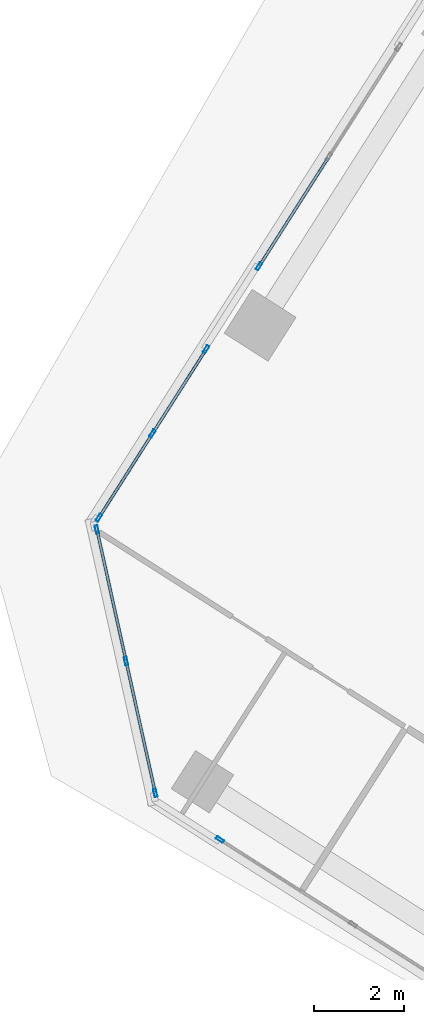
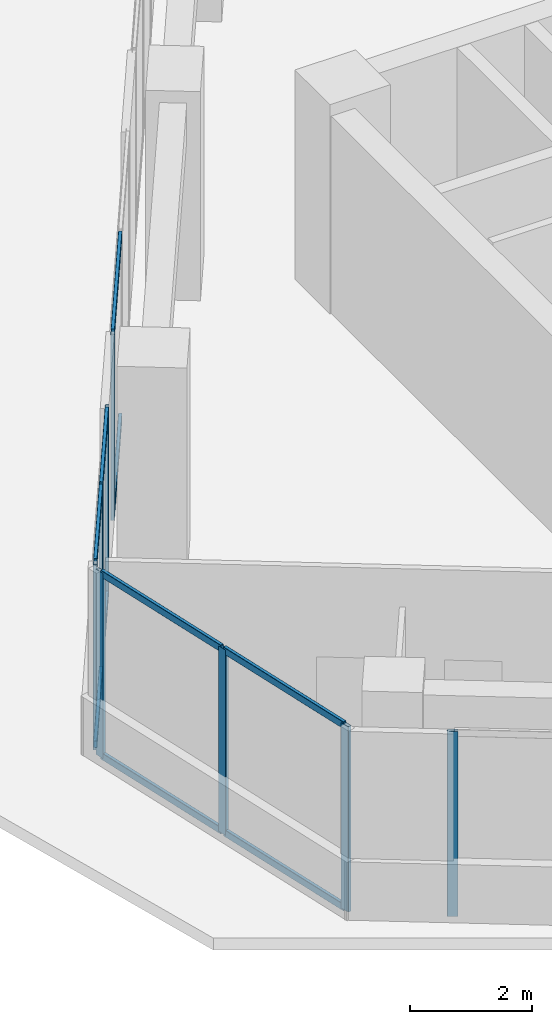
# One storey, part 5 of 23: 18 members, 4 elements without a shape of their own.
"""IFC4 building model written with IfcOpenShell, lengths in metres."""

from ifc_helpers import new_model, si_unit, direction, frame, origin, origin_2d, place, context, subcontext, project, spatial, hollow_rectangle, extrude, source, transform, mapped, material, material_profile, profile_set, type_object, element, aggregate, save


model = new_model("IFC4")

# Units and contexts
model_context = context("Model", 3, precision=1e-05, world=origin(), true_north=direction((0.0, 1.0)))
body_context = subcontext(model_context, "Body", "Model", "MODEL_VIEW")
ifc_project = project(units=[si_unit("LENGTHUNIT", "METRE"), si_unit("AREAUNIT", "SQUARE_METRE"), si_unit("VOLUMEUNIT", "CUBIC_METRE"), si_unit("PLANEANGLEUNIT", "RADIAN"), si_unit("MASSUNIT", "GRAM", prefix="KILO")], contexts=[model_context])

# Site, building, storey
site_placement = place(None, origin())
site = spatial("IfcSite", under=ifc_project, at=site_placement, CompositionType="ELEMENT")
building_placement = place(site_placement, origin())
building = spatial("IfcBuilding", under=site, at=building_placement, Name="Torre Montelarca", CompositionType="ELEMENT")
storey_placement = place(building_placement, frame((0.0, 0.0, 187.60009765625)))
storey = spatial("IfcBuildingStorey", under=building, at=storey_placement, Name="L42", CompositionType="ELEMENT", Elevation=187.60009765625)

# Curtain wall, members
ifc_material_1 = material(Name="Insulated low-E laminated glass", Category="glass")
curtain_wall_type = type_object("IfcCurtainWallType", Name="CW-SYS-Z2", PredefinedType="USERDEFINED", material=ifc_material_1)
curtain_wall_1_placement = place(storey_placement, origin())
curtain_wall_1 = element("IfcCurtainWall", 1, at=curtain_wall_1_placement, inside=storey, type_object=curtain_wall_type, Name="L42 Curtain Wall Run CW-T3-L42-E11-B1", ObjectType="UNITISED GLAZING", PredefinedType="USERDEFINED")
ifc_material_2 = material(Name="Anodised aluminium AA 6063-T6", Category="aluminium")
ifc_material_profile_1 = material_profile(ifc_material_2, hollow_rectangle(XDim=0.06494140625, YDim=0.139892578125, WallThickness=0.00390625, InnerFilletRadius=0.00390625, OuterFilletRadius=0.008056640625, at=origin_2d()), Name="ALU65X140X4", Category="aluminium")
ifc_profile_set_1 = profile_set([ifc_material_profile_1], Name="Anodised aluminium AA 6063-T6")
member_type_1 = type_object("IfcMemberType", Name="CWT-ALU140", PredefinedType="USERDEFINED", material=ifc_profile_set_1)
shared_shape_1 = source(origin(), body_context, "Body", "SweptSolid", [
    extrude(hollow_rectangle(XDim=0.06494140625, YDim=0.139892578125, WallThickness=0.00390625, InnerFilletRadius=0.00390625, OuterFilletRadius=0.008056640625, at=origin_2d()), origin(), (0.0, 0.0, 1.0), 2.918701171875),
])
member_1_placement = place(storey_placement, frame((-0.612060546875, 29.758544921875, 0.032470703125), z_axis=(0.216390174906, -0.976306966176, 0.0), x_axis=(0.976306966176, 0.216390174906, 0.0)))
member_1 = element("IfcMember", 2, at=member_1_placement, type_object=member_type_1, Name="CW transom 1.1", ObjectType="TRANSOM", PredefinedType="USERDEFINED", context=body_context, shape_type="MappedRepresentation", body=[
    mapped(shared_shape_1, transform((0.0, 0.0, 0.0), scale=1.0)),
])
member_2_placement = place(storey_placement, frame((-0.612060546875, 29.758544921875, 3.6875), z_axis=(0.216390174906, -0.976306966176, 0.0), x_axis=(0.976306966176, 0.216390174906, 0.0)))
member_2 = element("IfcMember", 3, at=member_2_placement, type_object=member_type_1, Name="CW transom 1.2", ObjectType="TRANSOM", PredefinedType="USERDEFINED", context=body_context, shape_type="MappedRepresentation", body=[
    mapped(shared_shape_1, transform((0.0, 0.0, 0.0), scale=1.0)),
])
shared_shape_2 = source(origin(), body_context, "Body", "SweptSolid", [
    extrude(hollow_rectangle(XDim=0.06494140625, YDim=0.139892578125, WallThickness=0.00390625, InnerFilletRadius=0.00390625, OuterFilletRadius=0.008056640625, at=origin_2d()), origin(), (0.0, 0.0, 1.0), 2.91845703125),
])
member_3_placement = place(storey_placement, frame((0.03369140625, 26.845458984375, 0.032470703125), z_axis=(0.216487579732, -0.976285372123, 0.0), x_axis=(0.976285372123, 0.216487579732, 0.0)))
member_3 = element("IfcMember", 4, at=member_3_placement, type_object=member_type_1, Name="CW transom 2.1", ObjectType="TRANSOM", PredefinedType="USERDEFINED", context=body_context, shape_type="MappedRepresentation", body=[
    mapped(shared_shape_2, transform((0.0, 0.0, 0.0), scale=1.0)),
])
member_4_placement = place(storey_placement, frame((0.03369140625, 26.845458984375, 3.6875), z_axis=(0.216487579732, -0.976285372123, 0.0), x_axis=(0.976285372123, 0.216487579732, 0.0)))
member_4 = element("IfcMember", 5, at=member_4_placement, type_object=member_type_1, Name="CW transom 2.2", ObjectType="TRANSOM", PredefinedType="USERDEFINED", context=body_context, shape_type="MappedRepresentation", body=[
    mapped(shared_shape_2, transform((0.0, 0.0, 0.0), scale=1.0)),
])

# Curtain wall, member
curtain_wall_2_placement = place(storey_placement, origin())
curtain_wall_2 = element("IfcCurtainWall", 6, at=curtain_wall_2_placement, inside=storey, type_object=curtain_wall_type, Name="L42 Curtain Wall Run CW-T3-L42-E01-B1", ObjectType="UNITISED GLAZING", PredefinedType="USERDEFINED")
ifc_material_profile_2 = material_profile(ifc_material_2, hollow_rectangle(XDim=0.06494140625, YDim=0.179931640625, WallThickness=0.00390625, InnerFilletRadius=0.00390625, OuterFilletRadius=0.008056640625, at=origin_2d()), Name="ALU65X180X4", Category="aluminium")
ifc_profile_set_2 = profile_set([ifc_material_profile_2], Name="Anodised aluminium AA 6063-T6")
member_type_2 = type_object("IfcMemberType", Name="CWM-ALU180", PredefinedType="MULLION", material=ifc_profile_set_2)
shared_shape_3 = source(origin(), body_context, "Body", "SweptSolid", [
    extrude(hollow_rectangle(XDim=0.06494140625, YDim=0.179931640625, WallThickness=0.00390625, InnerFilletRadius=0.00390625, OuterFilletRadius=0.008056640625, at=origin_2d()), origin(), (0.0, 0.0, 1.0), 3.719970703125),
])
member_5_placement = place(storey_placement, frame((2.1025390625, 22.93212890625, 0.0), z_axis=(0.0, 0.0, 1.0), x_axis=(0.537305573022, 0.843387645866, 0.0)))
member_5 = element("IfcMember", 7, at=member_5_placement, type_object=member_type_2, Name="CW mullion 1", PredefinedType="MULLION", context=body_context, shape_type="MappedRepresentation", body=[
    mapped(shared_shape_3, transform((0.0, 0.0, 0.0), scale=1.0)),
])
aggregate(curtain_wall_2, [member_5])

curtain_wall_3_placement = place(storey_placement, origin())
curtain_wall_3 = element("IfcCurtainWall", 8, at=curtain_wall_3_placement, inside=storey, type_object=curtain_wall_type, Name="L42 Curtain Wall Run CW-T3-L42-E10-B2", ObjectType="UNITISED GLAZING", PredefinedType="USERDEFINED")
member_6_placement = place(storey_placement, frame((2.967529296875, 35.6103515625, 0.0), z_axis=(0.0, 0.0, 1.0), x_axis=(0.843390174023, -0.537301604651, 0.0)))
member_6 = element("IfcMember", 9, at=member_6_placement, type_object=member_type_2, Name="CW mullion 3", PredefinedType="MULLION", context=body_context, shape_type="MappedRepresentation", body=[
    mapped(shared_shape_3, transform((0.0, 0.0, 0.0), scale=1.0)),
])

# Curtain wall, members
curtain_wall_4_placement = place(storey_placement, origin())
curtain_wall_4 = element("IfcCurtainWall", 10, at=curtain_wall_4_placement, inside=storey, type_object=curtain_wall_type, Name="L42 Curtain Wall Run CW-T3-L42-E10-B3", ObjectType="UNITISED GLAZING", PredefinedType="USERDEFINED")
member_7_placement = place(storey_placement, frame((1.798828125, 33.776123046875, 0.0), z_axis=(0.0, 0.0, 1.0), x_axis=(0.843393876969, -0.537295792178, 0.0)))
member_7 = element("IfcMember", 11, at=member_7_placement, type_object=member_type_2, Name="CW mullion 1", PredefinedType="MULLION", context=body_context, shape_type="MappedRepresentation", body=[
    mapped(shared_shape_3, transform((0.0, 0.0, 0.0), scale=1.0)),
])
member_8_placement = place(storey_placement, frame((0.613037109375, 31.91455078125, 0.0), z_axis=(0.0, 0.0, 1.0), x_axis=(0.843393876969, -0.537295792178, 0.0)))
member_8 = element("IfcMember", 12, at=member_8_placement, type_object=member_type_2, Name="CW mullion 2", PredefinedType="MULLION", context=body_context, shape_type="MappedRepresentation", body=[
    mapped(shared_shape_3, transform((0.0, 0.0, 0.0), scale=1.0)),
])
member_9_placement = place(storey_placement, frame((-0.57275390625, 30.05322265625, 0.0), z_axis=(0.0, 0.0, 1.0), x_axis=(0.843393876969, -0.537295792178, 0.0)))
member_9 = element("IfcMember", 13, at=member_9_placement, type_object=member_type_2, Name="CW mullion 3", PredefinedType="MULLION", context=body_context, shape_type="MappedRepresentation", body=[
    mapped(shared_shape_3, transform((0.0, 0.0, 0.0), scale=1.0)),
])

# Member
member_10_placement = place(storey_placement, frame((-0.619140625, 29.790283203125, 0.0), z_axis=(0.0, 0.0, 1.0), x_axis=(0.97629420471, 0.216447743923, 0.0)))
member_10 = element("IfcMember", 14, at=member_10_placement, type_object=member_type_2, Name="CW mullion 1", PredefinedType="MULLION", context=body_context, shape_type="MappedRepresentation", body=[
    mapped(shared_shape_3, transform((0.0, 0.0, 0.0), scale=1.0)),
])

member_11_placement = place(storey_placement, frame((0.026611328125, 26.877197265625, 0.0), z_axis=(0.0, 0.0, 1.0), x_axis=(0.97629420471, 0.216447743923, 0.0)))
member_11 = element("IfcMember", 15, at=member_11_placement, type_object=member_type_2, Name="CW mullion 2", PredefinedType="MULLION", context=body_context, shape_type="MappedRepresentation", body=[
    mapped(shared_shape_3, transform((0.0, 0.0, 0.0), scale=1.0)),
])

member_12_placement = place(storey_placement, frame((0.67236328125, 23.96435546875, 0.0), z_axis=(0.0, 0.0, 1.0), x_axis=(0.97629420471, 0.216447743923, 0.0)))
member_12 = element("IfcMember", 16, at=member_12_placement, type_object=member_type_2, Name="CW mullion 3", PredefinedType="MULLION", context=body_context, shape_type="MappedRepresentation", body=[
    mapped(shared_shape_3, transform((0.0, 0.0, 0.0), scale=1.0)),
])

aggregate(curtain_wall_1, [member_10, member_11, member_12, member_1, member_2, member_3, member_4])

shared_shape_4 = source(origin(), body_context, "Body", "SweptSolid", [
    extrude(hollow_rectangle(XDim=0.06494140625, YDim=0.139892578125, WallThickness=0.00390625, InnerFilletRadius=0.00390625, OuterFilletRadius=0.008056640625, at=origin_2d()), origin(), (0.0, 0.0, 1.0), 2.809814453125),
])
member_13_placement = place(storey_placement, frame((4.494873046875, 38.0078125, 0.032470703125), z_axis=(-0.537297073119, -0.843393060926, 0.0), x_axis=(0.843393060926, -0.537297073119, 0.0)))
member_13 = element("IfcMember", 17, at=member_13_placement, type_object=member_type_1, Name="CW transom 2.1", ObjectType="TRANSOM", PredefinedType="USERDEFINED", context=body_context, shape_type="MappedRepresentation", body=[
    mapped(shared_shape_4, transform((0.0, 0.0, 0.0), scale=1.0)),
])

member_14_placement = place(storey_placement, frame((4.494873046875, 38.0078125, 3.6875), z_axis=(-0.537297073119, -0.843393060926, 0.0), x_axis=(0.843393060926, -0.537297073119, 0.0)))
member_14 = element("IfcMember", 18, at=member_14_placement, type_object=member_type_1, Name="CW transom 2.2", ObjectType="TRANSOM", PredefinedType="USERDEFINED", context=body_context, shape_type="MappedRepresentation", body=[
    mapped(shared_shape_4, transform((0.0, 0.0, 0.0), scale=1.0)),
])

aggregate(curtain_wall_3, [member_6, member_13, member_14])

shared_shape_5 = source(origin(), body_context, "Body", "SweptSolid", [
    extrude(hollow_rectangle(XDim=0.06494140625, YDim=0.139892578125, WallThickness=0.00390625, InnerFilletRadius=0.00390625, OuterFilletRadius=0.008056640625, at=origin_2d()), origin(), (0.0, 0.0, 1.0), 2.14208984375),
])
member_15_placement = place(storey_placement, frame((0.595703125, 31.88720703125, 0.032470703125), z_axis=(-0.537354737632, -0.843356322052, 0.0), x_axis=(0.843356322052, -0.537354737632, 0.0)))
member_15 = element("IfcMember", 19, at=member_15_placement, type_object=member_type_1, Name="CW transom 2.1", ObjectType="TRANSOM", PredefinedType="USERDEFINED", context=body_context, shape_type="MappedRepresentation", body=[
    mapped(shared_shape_5, transform((0.0, 0.0, 0.0), scale=1.0)),
])

member_16_placement = place(storey_placement, frame((0.595703125, 31.88720703125, 3.6875), z_axis=(-0.537354737632, -0.843356322052, 0.0), x_axis=(0.843356322052, -0.537354737632, 0.0)))
member_16 = element("IfcMember", 20, at=member_16_placement, type_object=member_type_1, Name="CW transom 2.2", ObjectType="TRANSOM", PredefinedType="USERDEFINED", context=body_context, shape_type="MappedRepresentation", body=[
    mapped(shared_shape_5, transform((0.0, 0.0, 0.0), scale=1.0)),
])

shared_shape_6 = source(origin(), body_context, "Body", "SweptSolid", [
    extrude(hollow_rectangle(XDim=0.06494140625, YDim=0.139892578125, WallThickness=0.00390625, InnerFilletRadius=0.00390625, OuterFilletRadius=0.008056640625, at=origin_2d()), origin(), (0.0, 0.0, 1.0), 2.142333984375),
])
member_17_placement = place(storey_placement, frame((1.781494140625, 33.748779296875, 0.032470703125), z_axis=(-0.537222028773, -0.843440864436, 0.0), x_axis=(0.843440864436, -0.537222028773, 0.0)))
member_17 = element("IfcMember", 21, at=member_17_placement, type_object=member_type_1, Name="CW transom 1.1", ObjectType="TRANSOM", PredefinedType="USERDEFINED", context=body_context, shape_type="MappedRepresentation", body=[
    mapped(shared_shape_6, transform((0.0, 0.0, 0.0), scale=1.0)),
])

member_18_placement = place(storey_placement, frame((1.781494140625, 33.748779296875, 3.6875), z_axis=(-0.537222028773, -0.843440864436, 0.0), x_axis=(0.843440864436, -0.537222028773, 0.0)))
member_18 = element("IfcMember", 22, at=member_18_placement, type_object=member_type_1, Name="CW transom 1.2", ObjectType="TRANSOM", PredefinedType="USERDEFINED", context=body_context, shape_type="MappedRepresentation", body=[
    mapped(shared_shape_6, transform((0.0, 0.0, 0.0), scale=1.0)),
])

aggregate(curtain_wall_4, [member_7, member_8, member_9, member_17, member_18, member_15, member_16])

save(model, "model.ifc")
